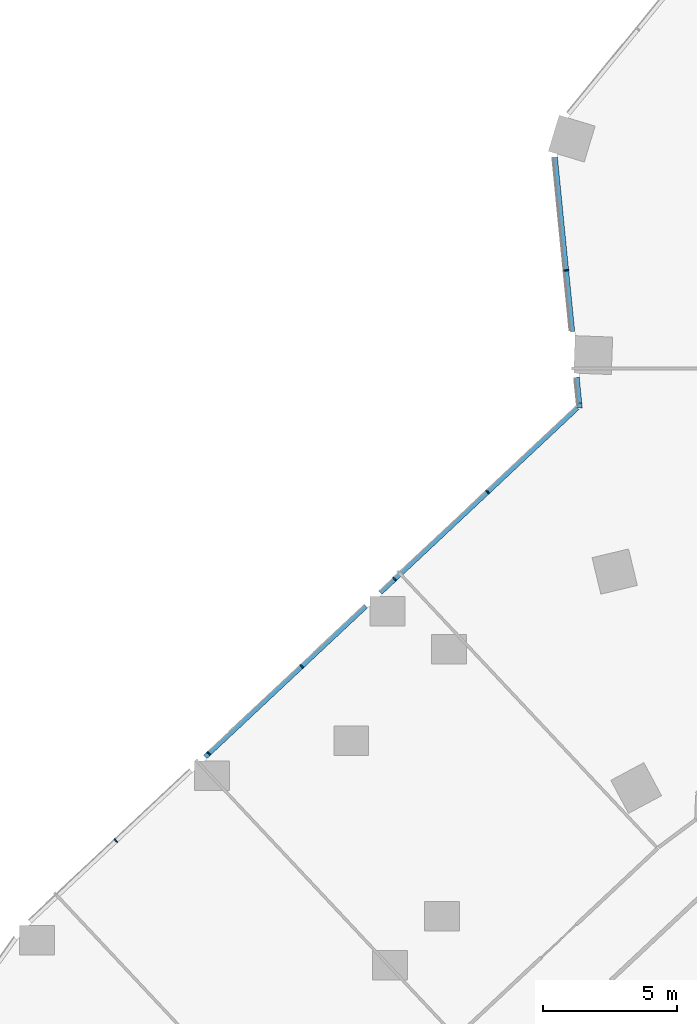
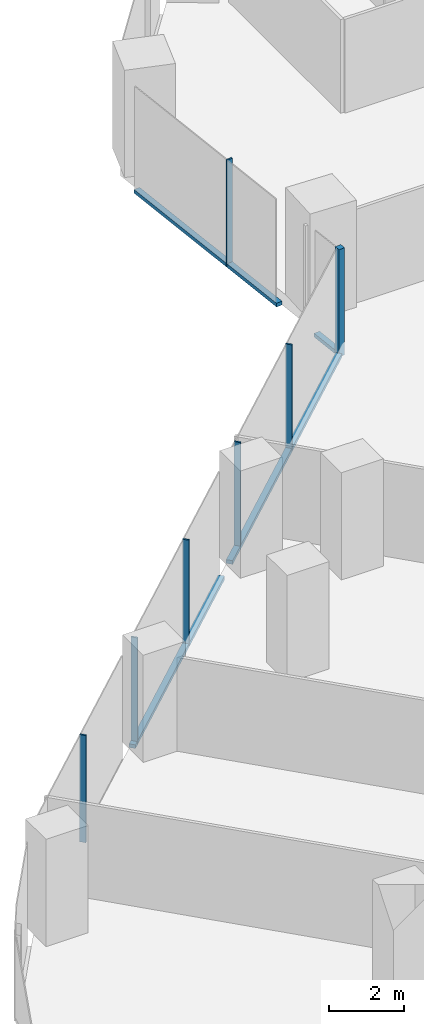
# One storey, part 6 of 34: 11 members, 2 elements without a shape of their own.
"""IFC4 building model written with IfcOpenShell, lengths in metres."""

from ifc_helpers import new_model, si_unit, direction, frame, origin, origin_2d, place, context, subcontext, project, spatial, rectangle, extrude, material, material_profile, profile_set, type_object, element, aggregate, save


model = new_model("IFC4")

# Units and contexts
model_context = context("Model", 3, precision=1e-05, world=origin(), true_north=direction((0.0, 1.0)))
body_context = subcontext(model_context, "Body", "Model", "MODEL_VIEW")
ifc_project = project(units=[si_unit("LENGTHUNIT", "METRE"), si_unit("AREAUNIT", "SQUARE_METRE"), si_unit("VOLUMEUNIT", "CUBIC_METRE"), si_unit("PLANEANGLEUNIT", "RADIAN"), si_unit("MASSUNIT", "GRAM", prefix="KILO")], contexts=[model_context])

# Site, building, storey
site_placement = place(None, origin())
site = spatial("IfcSite", under=ifc_project, at=site_placement, CompositionType="ELEMENT")
building_placement = place(site_placement, origin())
building = spatial("IfcBuilding", under=site, at=building_placement, Name="Orlundy Tower", CompositionType="ELEMENT")
storey_placement = place(building_placement, frame((0.0, 0.0, 47.800048828125)))
storey = spatial("IfcBuildingStorey", under=building, at=storey_placement, Name="L10", CompositionType="ELEMENT", Elevation=47.800048828125)

# Curtain wall, member
ifc_material_1 = material(Name="Aluminium bronze anodised", Category="aluminium")
curtain_wall_type = type_object("IfcCurtainWallType", Name="CW1 wall", PredefinedType="NOTDEFINED", material=ifc_material_1)
curtain_wall_1_placement = place(storey_placement, origin())
curtain_wall_1 = element("IfcCurtainWall", 1, at=curtain_wall_1_placement, inside=storey, type_object=curtain_wall_type, Name="CW1 run 01", PredefinedType="NOTDEFINED")
ifc_material_2 = material(Name="Aluminium bronze anodised", Category="aluminium")
ifc_material_profile_1 = material_profile(ifc_material_2, rectangle(XDim=0.179931640625, YDim=0.179931640625, at=origin_2d()), Name="CW1 corner post 180x180")
ifc_profile_set_1 = profile_set([ifc_material_profile_1], Name="Aluminium bronze anodised")
member_type_1 = type_object("IfcMemberType", Name="CW1 corner post 180x180", PredefinedType="MULLION", material=ifc_profile_set_1)
member_1_placement = place(storey_placement, frame((-30.163818359375, -0.747802734375, -0.420166015625), z_axis=(0.0, 0.0, 1.0), x_axis=(-0.995120028229, -0.098671826867, 0.0)))
member_1 = element("IfcMember", 2, at=member_1_placement, type_object=member_type_1, Name="CW1 mullion 7", PredefinedType="MULLION", context=body_context, shape_type="SweptSolid", body=[
    extrude(rectangle(XDim=0.179931640625, YDim=0.179931640625, at=origin_2d()), origin(), (0.0, 0.0, 1.0), 3.5),
])

# Curtain wall, members
curtain_wall_2_placement = place(storey_placement, origin())
curtain_wall_2 = element("IfcCurtainWall", 3, at=curtain_wall_2_placement, inside=storey, type_object=curtain_wall_type, Name="CW1 run 00", PredefinedType="NOTDEFINED")
ifc_material_3 = material(Name="Aluminium bronze anodised", Category="aluminium")
ifc_material_profile_2 = material_profile(ifc_material_3, rectangle(XDim=0.179931640625, YDim=0.050048828125, at=origin_2d()), Name="CW1 mullion 50x180")
ifc_profile_set_2 = profile_set([ifc_material_profile_2], Name="Aluminium bronze anodised")
member_type_2 = type_object("IfcMemberType", Name="CW1 mullion 50x180", PredefinedType="MULLION", material=ifc_profile_set_2)
member_2_placement = place(storey_placement, frame((-47.47314453125, -16.984130859375, -0.420166015625), z_axis=(0.0, 0.0, 1.0), x_axis=(-0.684139296752, 0.729351371178, 0.0)))
member_2 = element("IfcMember", 4, at=member_2_placement, type_object=member_type_2, Name="CW1 mullion 2", PredefinedType="MULLION", context=body_context, shape_type="SweptSolid", body=[
    extrude(rectangle(XDim=0.179931640625, YDim=0.050048828125, at=origin_2d()), origin(), (0.0, 0.0, 1.0), 3.5),
])
member_3_placement = place(storey_placement, frame((-44.0048828125, -13.730712890625, -0.420166015625), z_axis=(0.0, 0.0, 1.0), x_axis=(-0.684139296752, 0.729351371178, 0.0)))
member_3 = element("IfcMember", 5, at=member_3_placement, type_object=member_type_2, Name="CW1 mullion 3", PredefinedType="MULLION", context=body_context, shape_type="SweptSolid", body=[
    extrude(rectangle(XDim=0.179931640625, YDim=0.050048828125, at=origin_2d()), origin(), (0.0, 0.0, 1.0), 3.5),
])
member_4_placement = place(storey_placement, frame((-40.53662109375, -10.477294921875, -0.420166015625), z_axis=(0.0, 0.0, 1.0), x_axis=(-0.684139296752, 0.729351371178, 0.0)))
member_4 = element("IfcMember", 6, at=member_4_placement, type_object=member_type_2, Name="CW1 mullion 4", PredefinedType="MULLION", context=body_context, shape_type="SweptSolid", body=[
    extrude(rectangle(XDim=0.179931640625, YDim=0.050048828125, at=origin_2d()), origin(), (0.0, 0.0, 1.0), 3.5),
])
member_5_placement = place(storey_placement, frame((-37.068359375, -7.22412109375, -0.420166015625), z_axis=(0.0, 0.0, 1.0), x_axis=(-0.684139296752, 0.729351371178, 0.0)))
member_5 = element("IfcMember", 7, at=member_5_placement, type_object=member_type_2, Name="CW1 mullion 5", PredefinedType="MULLION", context=body_context, shape_type="SweptSolid", body=[
    extrude(rectangle(XDim=0.179931640625, YDim=0.050048828125, at=origin_2d()), origin(), (0.0, 0.0, 1.0), 3.5),
])
member_6_placement = place(storey_placement, frame((-33.599853515625, -3.970703125, -0.420166015625), z_axis=(0.0, 0.0, 1.0), x_axis=(-0.684139296752, 0.729351371178, 0.0)))
member_6 = element("IfcMember", 8, at=member_6_placement, type_object=member_type_2, Name="CW1 mullion 6", PredefinedType="MULLION", context=body_context, shape_type="SweptSolid", body=[
    extrude(rectangle(XDim=0.179931640625, YDim=0.050048828125, at=origin_2d()), origin(), (0.0, 0.0, 1.0), 3.5),
])

# Member
member_7_placement = place(storey_placement, frame((-30.66455078125, 4.301025390625, -0.420166015625), z_axis=(0.0, 0.0, 1.0), x_axis=(-0.995120028229, -0.098671826867, 0.0)))
member_7 = element("IfcMember", 9, at=member_7_placement, type_object=member_type_2, Name="CW1 mullion 8", PredefinedType="MULLION", context=body_context, shape_type="SweptSolid", body=[
    extrude(rectangle(XDim=0.179931640625, YDim=0.050048828125, at=origin_2d()), origin(), (0.0, 0.0, 1.0), 3.5),
])

ifc_material_4 = material(Name="Aluminium bronze anodised", Category="aluminium")
ifc_material_profile_3 = material_profile(ifc_material_4, rectangle(XDim=0.179931640625, YDim=0.1201171875, at=origin_2d()), Name="CW1 transom 180x120")
ifc_profile_set_3 = profile_set([ifc_material_profile_3], Name="Aluminium bronze anodised")
member_type_3 = type_object("IfcMemberType", Name="CW1 transom 180x120", PredefinedType="USERDEFINED", material=ifc_profile_set_3)
member_8_placement = place(storey_placement, frame((-44.143798828125, -13.861083984375, -0.360107421875), z_axis=(0.72933458514, 0.684157191673, 0.0), x_axis=(-0.684157191673, 0.72933458514, 0.0)))
member_8 = element("IfcMember", 10, at=member_8_placement, type_object=member_type_3, Name="CW1 transom", ObjectType="TRANSOM", PredefinedType="USERDEFINED", context=body_context, shape_type="SweptSolid", body=[
    extrude(rectangle(XDim=0.179931640625, YDim=0.1201171875, at=origin_2d()), origin(), (0.0, 0.0, 1.0), 8.23046875),
])

member_9_placement = place(storey_placement, frame((-37.603271484375, -7.72607421875, -0.360107421875), z_axis=(0.729352247535, 0.684138362479, 0.0), x_axis=(-0.684138362479, 0.729352247535, 0.0)))
member_9 = element("IfcMember", 11, at=member_9_placement, type_object=member_type_3, Name="CW1 transom", ObjectType="TRANSOM", PredefinedType="USERDEFINED", context=body_context, shape_type="SweptSolid", body=[
    extrude(rectangle(XDim=0.179931640625, YDim=0.1201171875, at=origin_2d()), origin(), (0.0, 0.0, 1.0), 10.086669921875),
])

aggregate(curtain_wall_2, [member_2, member_3, member_4, member_5, member_6, member_8, member_9])

member_10_placement = place(storey_placement, frame((-30.1728515625, -0.658203125, -0.360107421875), z_axis=(-0.098732593385, 0.995114001009, 0.0), x_axis=(-0.995114001009, -0.098732593385, 0.0)))
member_10 = element("IfcMember", 12, at=member_10_placement, type_object=member_type_3, Name="CW1 transom", ObjectType="TRANSOM", PredefinedType="USERDEFINED", context=body_context, shape_type="SweptSolid", body=[
    extrude(rectangle(XDim=0.179931640625, YDim=0.1201171875, at=origin_2d()), origin(), (0.0, 0.0, 1.0), 0.9716796875),
])

member_11_placement = place(storey_placement, frame((-30.43798828125, 2.0166015625, -0.360107421875), z_axis=(-0.09868941659, 0.995118283951, 0.0), x_axis=(-0.995118283951, -0.09868941659, 0.0)))
member_11 = element("IfcMember", 13, at=member_11_placement, type_object=member_type_3, Name="CW1 transom", ObjectType="TRANSOM", PredefinedType="USERDEFINED", context=body_context, shape_type="SweptSolid", body=[
    extrude(rectangle(XDim=0.179931640625, YDim=0.1201171875, at=origin_2d()), origin(), (0.0, 0.0, 1.0), 6.531005859375),
])

aggregate(curtain_wall_1, [member_1, member_7, member_10, member_11])

save(model, "model.ifc")
